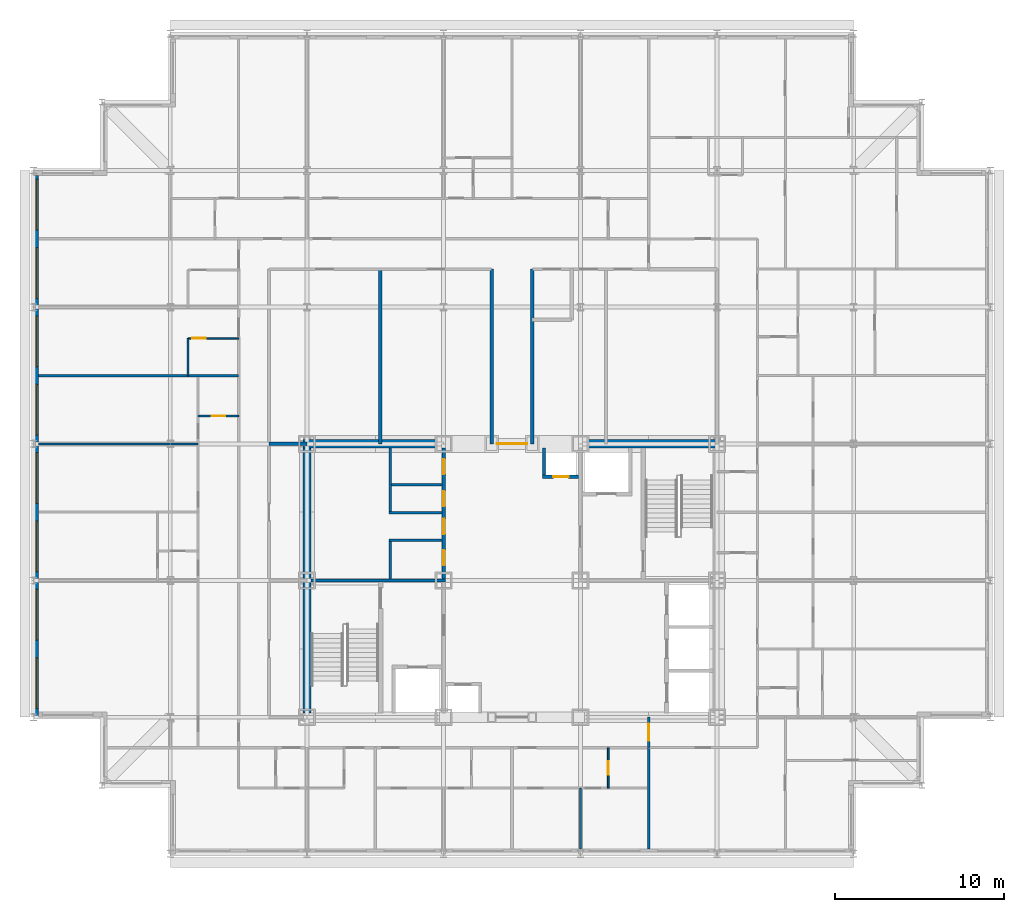
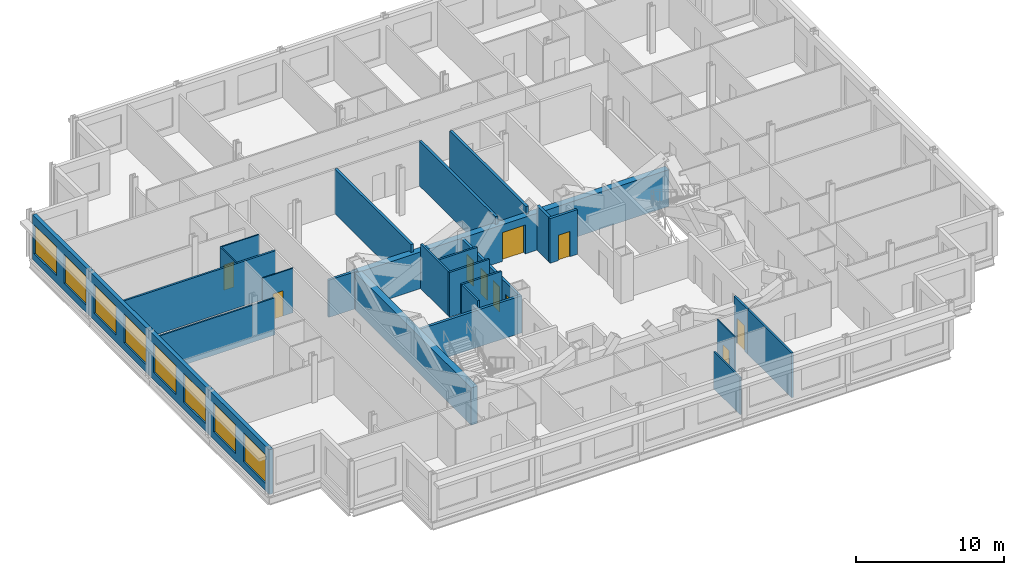
# One storey, part 9 of 15: 25 walls, 10 doors, 8 windows, 18 openings.
"""IFC4 building model written with IfcOpenShell, lengths in metres."""

from ifc_helpers import new_model, si_unit, direction, frame, frame_2d, origin, place, context, subcontext, project, spatial, rectangle, extrude, material, layer, layer_set, type_object, element, fill, save


model = new_model("IFC4")

# Units and contexts
model_context = context("Model", 3, precision=1e-05, world=origin(), true_north=direction((0.0, 1.0)))
body_context = subcontext(model_context, "Body", "Model", "MODEL_VIEW")
ifc_project = project(units=[si_unit("LENGTHUNIT", "METRE"), si_unit("AREAUNIT", "SQUARE_METRE"), si_unit("VOLUMEUNIT", "CUBIC_METRE"), si_unit("PLANEANGLEUNIT", "RADIAN"), si_unit("MASSUNIT", "GRAM", prefix="KILO")], contexts=[model_context])

# Site, building, storey
site_placement = place(None, origin())
site = spatial("IfcSite", under=ifc_project, at=site_placement, CompositionType="ELEMENT")
building_placement = place(site_placement, origin())
building = spatial("IfcBuilding", under=site, at=building_placement, Name="Kopane Lantern Tower", CompositionType="ELEMENT")
storey_placement = place(building_placement, frame((0.0, 0.0, 250.199951171875)))
storey = spatial("IfcBuildingStorey", under=building, at=storey_placement, Name="L64", CompositionType="ELEMENT", Elevation=250.199951171875)

# Walls
ifc_material_1 = material(Name="Gypsum board on steel studs", Category="steel")
ifc_layer_1 = layer(ifc_material_1, 0.1201171875)
ifc_layer_set_1 = layer_set([ifc_layer_1], Name="APARTMENT INTERNAL WALL 120")
wall_type_1 = type_object("IfcWallType", Name="APARTMENT INTERNAL WALL 120", PredefinedType="PARTITIONING", material=ifc_layer_set_1)
wall_1_placement = place(storey_placement, frame((32.39990234375, 20.10009765625, 0.0), z_axis=(0.0, 0.0, 1.0), x_axis=(0.0, -1.0, 0.0)))
element("IfcWall", 1, at=wall_1_placement, inside=storey, type_object=wall_type_1, Name="Apartment Internal Wall 120 L64", PredefinedType="PARTITIONING", context=body_context, shape_type="SweptSolid", body=[
    extrude(rectangle(XDim=3.60009765625, YDim=0.1201171875, at=frame_2d((1.800048828125, 0.0))), origin(), (0.0, 0.0, 1.0), 3.077880859375),
])
wall_2_placement = place(storey_placement, frame((9.75, 40.5, 0.0), z_axis=(0.0, 0.0, 1.0), x_axis=(-1.0, 0.0, 0.0)))
element("IfcWall", 2, at=wall_2_placement, inside=storey, type_object=wall_type_1, Name="Apartment Internal Wall 120 L64", PredefinedType="PARTITIONING", context=body_context, shape_type="SweptSolid", body=[
    extrude(rectangle(XDim=9.449951171875, YDim=0.1201171875, at=frame_2d((4.72509765625, 0.0))), origin(), (0.0, 0.0, 1.0), 3.077880859375),
])

# Wall, opening, door
ifc_material_2 = material(Name="Moisture-resistant board on steel studs", Category="steel")
ifc_layer_2 = layer(ifc_material_2, 0.10009765625)
ifc_layer_set_2 = layer_set([ifc_layer_2], Name="BATHROOM WALL 100")
wall_type_2 = type_object("IfcWallType", Name="BATHROOM WALL 100", PredefinedType="PARTITIONING", material=ifc_layer_set_2)
wall_3_placement = place(storey_placement, frame((34.050048828125, 22.5, 0.0), z_axis=(0.0, 0.0, 1.0), x_axis=(0.0, -1.0, 0.0)))
wall_3 = element("IfcWall", 3, at=wall_3_placement, inside=storey, type_object=wall_type_2, Name="Bathroom Wall 100 L64", PredefinedType="PARTITIONING", context=body_context, shape_type="SweptSolid", body=[
    extrude(rectangle(XDim=2.39990234375, YDim=0.10009765625, at=frame_2d((1.199951171875, 0.0))), origin(), (0.0, 0.0, 1.0), 3.68994140625),
])
opening_1_placement = place(wall_3_placement, frame((0.800048828125, 0.0, 0.0)))
opening_1 = element("IfcOpeningElement", 4, at=opening_1_placement, cuts=wall_3, Name="Opening L64-014", PredefinedType="OPENING", context=body_context, shape_type="SweptSolid", body=[
    extrude(rectangle(XDim=0.800048828125, YDim=2.10009765625, at=frame_2d((0.39990234375, 1.050048828125))), frame((0.0, 0.06005859375, 0.0), z_axis=(0.0, -1.0, 0.0), x_axis=(1.0, 0.0, 0.0)), (0.0, 0.0, 1.0), 0.1201171875),
])
ifc_material_3 = material(Name="Timber door set", Category="wood")
door_type_1 = type_object("IfcDoorType", Name="DOOR D2 800x2100", OperationType="SINGLE_SWING_LEFT", PredefinedType="DOOR", material=ifc_material_3)
door_1_placement = place(opening_1_placement, origin())
door_1 = element("IfcDoor", 5, at=door_1_placement, inside=storey, type_object=door_type_1, Name="Door L64-014", OperationType="SINGLE_SWING_LEFT", OverallHeight=2.10009765625, OverallWidth=0.800048828125, PredefinedType="DOOR", context=body_context, shape_type="SweptSolid", body=[
    extrude(rectangle(XDim=0.800048828125, YDim=2.10009765625, at=frame_2d((0.39990234375, 1.050048828125))), frame((0.0, 0.02490234375, 0.0), z_axis=(0.0, -1.0, 0.0), x_axis=(1.0, 0.0, 0.0)), (0.0, 0.0, 1.0), 0.050048828125),
])
fill(opening_1, door_1)

wall_4_placement = place(storey_placement, frame((12.14990234375, 42.14990234375, 0.0), z_axis=(0.0, 0.0, 1.0), x_axis=(-1.0, 0.0, 0.0)))
wall_4 = element("IfcWall", 6, at=wall_4_placement, inside=storey, type_object=wall_type_2, Name="Bathroom Wall 100 L64", PredefinedType="PARTITIONING", context=body_context, shape_type="SweptSolid", body=[
    extrude(rectangle(XDim=2.39990234375, YDim=0.10009765625, at=frame_2d((1.199951171875, 0.0))), origin(), (0.0, 0.0, 1.0), 3.68994140625),
])
opening_2_placement = place(wall_4_placement, frame((0.800048828125, 0.0, 0.0)))
opening_2 = element("IfcOpeningElement", 7, at=opening_2_placement, cuts=wall_4, Name="Opening L64-025", PredefinedType="OPENING", context=body_context, shape_type="SweptSolid", body=[
    extrude(rectangle(XDim=0.800048828125, YDim=2.10009765625, at=frame_2d((0.39990234375, 1.050048828125))), frame((0.0, 0.06005859375, 0.0), z_axis=(0.0, -1.0, 0.0), x_axis=(1.0, 0.0, 0.0)), (0.0, 0.0, 1.0), 0.1201171875),
])
door_2_placement = place(opening_2_placement, origin())
door_2 = element("IfcDoor", 8, at=door_2_placement, inside=storey, type_object=door_type_1, Name="Door L64-025", OperationType="SINGLE_SWING_RIGHT", OverallHeight=2.10009765625, OverallWidth=0.800048828125, PredefinedType="DOOR", context=body_context, shape_type="SweptSolid", body=[
    extrude(rectangle(XDim=0.800048828125, YDim=2.10009765625, at=frame_2d((0.39990234375, 1.050048828125))), frame((0.0, 0.02490234375, 0.0), z_axis=(0.0, -1.0, 0.0), x_axis=(1.0, 0.0, 0.0)), (0.0, 0.0, 1.0), 0.050048828125),
])
fill(opening_2, door_2)

# Wall
wall_5_placement = place(storey_placement, frame((9.14990234375, 44.550048828125, 0.0), z_axis=(0.0, 0.0, 1.0), x_axis=(0.0, 1.0, 0.0)))
element("IfcWall", 9, at=wall_5_placement, inside=storey, type_object=wall_type_2, Name="Bathroom Wall 100 L64", PredefinedType="PARTITIONING", context=body_context, shape_type="SweptSolid", body=[
    extrude(rectangle(XDim=2.199951171875, YDim=0.10009765625, at=frame_2d((1.10009765625, 0.0))), origin(), (0.0, 0.0, 1.0), 3.68994140625),
])

# Wall, opening, door
wall_6_placement = place(storey_placement, frame((12.14990234375, 46.75, 0.0), z_axis=(0.0, 0.0, 1.0), x_axis=(-1.0, 0.0, 0.0)))
wall_6 = element("IfcWall", 10, at=wall_6_placement, inside=storey, type_object=wall_type_2, Name="Bathroom Wall 100 L64", PredefinedType="PARTITIONING", context=body_context, shape_type="SweptSolid", body=[
    extrude(rectangle(XDim=3.0, YDim=0.10009765625, at=frame_2d((1.5, 0.0))), origin(), (0.0, 0.0, 1.0), 3.68994140625),
])
opening_3_placement = place(wall_6_placement, frame((1.949951171875, 0.0, 0.0)))
opening_3 = element("IfcOpeningElement", 11, at=opening_3_placement, cuts=wall_6, Name="Opening L64-032", PredefinedType="OPENING", context=body_context, shape_type="SweptSolid", body=[
    extrude(rectangle(XDim=0.800048828125, YDim=2.10009765625, at=frame_2d((0.39990234375, 1.050048828125))), frame((0.0, 0.06005859375, 0.0), z_axis=(0.0, -1.0, 0.0), x_axis=(1.0, 0.0, 0.0)), (0.0, 0.0, 1.0), 0.1201171875),
])
door_3_placement = place(opening_3_placement, origin())
door_3 = element("IfcDoor", 12, at=door_3_placement, inside=storey, type_object=door_type_1, Name="Door L64-032", OperationType="SINGLE_SWING_RIGHT", OverallHeight=2.10009765625, OverallWidth=0.800048828125, PredefinedType="DOOR", context=body_context, shape_type="SweptSolid", body=[
    extrude(rectangle(XDim=0.800048828125, YDim=2.10009765625, at=frame_2d((0.39990234375, 1.050048828125))), frame((0.0, 0.02490234375, 0.0), z_axis=(0.0, -1.0, 0.0), x_axis=(1.0, 0.0, 0.0)), (0.0, 0.0, 1.0), 0.050048828125),
])
fill(opening_3, door_3)

ifc_material_4 = material(Name="Gypsum shaft wall EI 120", Category="gypsum")
ifc_layer_3 = layer(ifc_material_4, 0.5)
ifc_layer_set_3 = layer_set([ifc_layer_3], Name="CORE PERIMETER WALL 500 EI 120")
wall_type_3 = type_object("IfcWallType", Name="CORE PERIMETER WALL 500 EI 120", PredefinedType="SOLIDWALL", material=ifc_layer_set_3)
wall_7_placement = place(storey_placement, frame((15.949951171875, 40.5, 0.0), z_axis=(0.0, 0.0, 1.0), x_axis=(1.0, 0.0, 0.0)))
wall_7 = element("IfcWall", 13, at=wall_7_placement, inside=storey, type_object=wall_type_3, Name="Core shaft wall L64 PN", PredefinedType="SOLIDWALL", context=body_context, shape_type="SweptSolid", body=[
    extrude(rectangle(XDim=24.550048828125, YDim=0.5, at=frame_2d((12.27490234375, 0.0))), origin(), (0.0, 0.0, 1.0), 3.0400390625),
])
opening_4_placement = place(wall_7_placement, frame((11.5, 0.0, 0.0)))
opening_4 = element("IfcOpeningElement", 14, at=opening_4_placement, cuts=wall_7, Name="Opening 64.CE-N", PredefinedType="OPENING", context=body_context, shape_type="SweptSolid", body=[
    extrude(rectangle(XDim=1.800048828125, YDim=2.39990234375, at=frame_2d((0.89990234375, 1.199951171875))), frame((0.0, 0.260009765625, 0.0), z_axis=(0.0, -1.0, 0.0), x_axis=(1.0, 0.0, 0.0)), (0.0, 0.0, 1.0), 0.52001953125),
])
ifc_material_5 = material(Name="Steel door set", Category="steel")
door_type_2 = type_object("IfcDoorType", Name="CORE ENTRY DOOR 1800x2400 FD60S", OperationType="DOUBLE_DOOR_SINGLE_SWING", PredefinedType="DOOR", material=ifc_material_5)
door_4_placement = place(opening_4_placement, origin())
door_4 = element("IfcDoor", 15, at=door_4_placement, inside=storey, type_object=door_type_2, Name="Core entry door L64 north", OperationType="DOUBLE_DOOR_SINGLE_SWING", OverallHeight=2.39990234375, OverallWidth=1.800048828125, PredefinedType="DOOR", context=body_context, shape_type="SweptSolid", body=[
    extrude(rectangle(XDim=1.800048828125, YDim=2.39990234375, at=frame_2d((0.89990234375, 1.199951171875))), frame((0.0, 0.02490234375, 0.0), z_axis=(0.0, -1.0, 0.0), x_axis=(1.0, 0.0, 0.0)), (0.0, 0.0, 1.0), 0.050048828125),
])
fill(opening_4, door_4)

# Walls
wall_8_placement = place(storey_placement, frame((16.199951171875, 24.550048828125, 0.0), z_axis=(0.0, 0.0, 1.0), x_axis=(0.0, 1.0, 0.0)))
element("IfcWall", 16, at=wall_8_placement, inside=storey, type_object=wall_type_3, Name="Core shaft wall L64 PW", PredefinedType="SOLIDWALL", context=body_context, shape_type="SweptSolid", body=[
    extrude(rectangle(XDim=15.699951171875, YDim=0.5, at=frame_2d((7.85009765625, 0.0))), origin(), (0.0, 0.0, 1.0), 3.077880859375),
])
ifc_material_6 = material(Name="Gypsum partition EI 60", Category="gypsum")
ifc_layer_4 = layer(ifc_material_6, 0.14990234375)
ifc_layer_set_4 = layer_set([ifc_layer_4], Name="CORE ROOM PARTITION 150 EI 60")
wall_type_4 = type_object("IfcWallType", Name="CORE ROOM PARTITION 150 EI 60", PredefinedType="PARTITIONING", material=ifc_layer_set_4)
for number, where, z_axis, x_axis, name in (
    (17, (21.050048828125, 34.77490234375, 0.0), (0.0, 0.0, 1.0), (1.0, 0.0, 0.0), "Core room partition L64 WW1"),
    (18, (21.050048828125, 36.425048828125, 0.0), (0.0, 0.0, 1.0), (1.0, 0.0, 0.0), "Core room partition L64 WW2"),
):
    element("IfcWall", number, at=place(storey_placement, frame(where, z_axis=z_axis, x_axis=x_axis)), inside=storey, type_object=wall_type_4, Name=name, PredefinedType="PARTITIONING", context=body_context, shape_type="SweptSolid", body=[
        extrude(rectangle(XDim=3.14990234375, YDim=0.14990234375, at=frame_2d((1.574951171875, 0.0))), origin(), (0.0, 0.0, 1.0), 3.68994140625),
    ])
wall_9_placement = place(storey_placement, frame((21.199951171875, 38.074951171875, 0.0), z_axis=(0.0, 0.0, 1.0), x_axis=(1.0, 0.0, 0.0)))
element("IfcWall", 19, at=wall_9_placement, inside=storey, type_object=wall_type_4, Name="Core room partition L64 WW3", PredefinedType="PARTITIONING", context=body_context, shape_type="SweptSolid", body=[
    extrude(rectangle(XDim=3.0, YDim=0.14990234375, at=frame_2d((1.5, 0.0))), origin(), (0.0, 0.0, 1.0), 3.68994140625),
])
wall_10_placement = place(storey_placement, frame((21.125, 32.5, 0.0), z_axis=(0.0, 0.0, 1.0), x_axis=(0.0, 1.0, 0.0)))
element("IfcWall", 20, at=wall_10_placement, inside=storey, type_object=wall_type_4, Name="Core room partition L64 WWB0", PredefinedType="PARTITIONING", context=body_context, shape_type="SweptSolid", body=[
    extrude(rectangle(XDim=2.199951171875, YDim=0.14990234375, at=frame_2d((1.10009765625, 0.0))), origin(), (0.0, 0.0, 1.0), 3.68994140625),
])
wall_11_placement = place(storey_placement, frame((21.125, 36.5, 0.0), z_axis=(0.0, 0.0, 1.0), x_axis=(0.0, 1.0, 0.0)))
element("IfcWall", 21, at=wall_11_placement, inside=storey, type_object=wall_type_4, Name="Core room partition L64 WWB1", PredefinedType="PARTITIONING", context=body_context, shape_type="SweptSolid", body=[
    extrude(rectangle(XDim=3.75, YDim=0.14990234375, at=frame_2d((1.875, 0.0))), origin(), (0.0, 0.0, 1.0), 3.68994140625),
])

# Wall, openings, doors
ifc_material_7 = material(Name="Gypsum partition EI 60", Category="gypsum")
ifc_layer_5 = layer(ifc_material_7, 0.199951171875)
ifc_layer_set_5 = layer_set([ifc_layer_5], Name="CORE ROOM WALL 200 EI 60")
wall_type_5 = type_object("IfcWallType", Name="CORE ROOM WALL 200 EI 60", PredefinedType="PARTITIONING", material=ifc_layer_set_5)
wall_12_placement = place(storey_placement, frame((24.300048828125, 32.5, 0.0), z_axis=(0.0, 0.0, 1.0), x_axis=(0.0, 1.0, 0.0)))
wall_12 = element("IfcWall", 22, at=wall_12_placement, inside=storey, type_object=wall_type_5, Name="Core room wall L64 XW", PredefinedType="PARTITIONING", context=body_context, shape_type="SweptSolid", body=[
    extrude(rectangle(XDim=7.75, YDim=0.199951171875, at=frame_2d((3.875, 0.0))), origin(), (0.0, 0.0, 1.0), 3.077880859375),
])
opening_5_placement = place(wall_12_placement, frame((0.800048828125, 0.0, 0.0)))
opening_5 = element("IfcOpeningElement", 23, at=opening_5_placement, cuts=wall_12, Name="Opening 64.C30", PredefinedType="OPENING", context=body_context, shape_type="SweptSolid", body=[
    extrude(rectangle(XDim=0.89990234375, YDim=2.10009765625, at=frame_2d((0.449951171875, 1.050048828125))), frame((0.0, 0.10986328125, 0.0), z_axis=(0.0, -1.0, 0.0), x_axis=(1.0, 0.0, 0.0)), (0.0, 0.0, 1.0), 0.219970703125),
])
opening_6_placement = place(wall_12_placement, frame((2.64990234375, 0.0, 0.0)))
opening_6 = element("IfcOpeningElement", 24, at=opening_6_placement, cuts=wall_12, Name="Opening 64.C31", PredefinedType="OPENING", context=body_context, shape_type="SweptSolid", body=[
    extrude(rectangle(XDim=0.89990234375, YDim=2.10009765625, at=frame_2d((0.449951171875, 1.050048828125))), frame((0.0, 0.10986328125, 0.0), z_axis=(0.0, -1.0, 0.0), x_axis=(1.0, 0.0, 0.0)), (0.0, 0.0, 1.0), 0.219970703125),
])
opening_7_placement = place(wall_12_placement, frame((4.300048828125, 0.0, 0.0)))
opening_7 = element("IfcOpeningElement", 25, at=opening_7_placement, cuts=wall_12, Name="Opening 64.C32", PredefinedType="OPENING", context=body_context, shape_type="SweptSolid", body=[
    extrude(rectangle(XDim=0.89990234375, YDim=2.10009765625, at=frame_2d((0.449951171875, 1.050048828125))), frame((0.0, 0.10986328125, 0.0), z_axis=(0.0, -1.0, 0.0), x_axis=(1.0, 0.0, 0.0)), (0.0, 0.0, 1.0), 0.219970703125),
])
opening_8_placement = place(wall_12_placement, frame((6.199951171875, 0.0, 0.0)))
opening_8 = element("IfcOpeningElement", 26, at=opening_8_placement, cuts=wall_12, Name="Opening 64.C33", PredefinedType="OPENING", context=body_context, shape_type="SweptSolid", body=[
    extrude(rectangle(XDim=0.89990234375, YDim=2.10009765625, at=frame_2d((0.449951171875, 1.050048828125))), frame((0.0, 0.10986328125, 0.0), z_axis=(0.0, -1.0, 0.0), x_axis=(1.0, 0.0, 0.0)), (0.0, 0.0, 1.0), 0.219970703125),
])
ifc_material_8 = material(Name="Steel door set", Category="steel")
door_type_3 = type_object("IfcDoorType", Name="CORE ROOM DOOR 900x2100 FD60", OperationType="SINGLE_SWING_LEFT", PredefinedType="DOOR", material=ifc_material_8)
door_5_placement = place(opening_5_placement, origin())
door_5 = element("IfcDoor", 27, at=door_5_placement, inside=storey, type_object=door_type_3, Name="Door Refuse room L64", OperationType="SINGLE_SWING_RIGHT", OverallHeight=2.10009765625, OverallWidth=0.89990234375, PredefinedType="DOOR", context=body_context, shape_type="SweptSolid", body=[
    extrude(rectangle(XDim=0.89990234375, YDim=2.10009765625, at=frame_2d((0.449951171875, 1.050048828125))), frame((0.0, 0.02490234375, 0.0), z_axis=(0.0, -1.0, 0.0), x_axis=(1.0, 0.0, 0.0)), (0.0, 0.0, 1.0), 0.050048828125),
])
fill(opening_5, door_5)
door_6_placement = place(opening_6_placement, origin())
door_6 = element("IfcDoor", 28, at=door_6_placement, inside=storey, type_object=door_type_3, Name="Door Residents storage L64", OperationType="SINGLE_SWING_RIGHT", OverallHeight=2.10009765625, OverallWidth=0.89990234375, PredefinedType="DOOR", context=body_context, shape_type="SweptSolid", body=[
    extrude(rectangle(XDim=0.89990234375, YDim=2.10009765625, at=frame_2d((0.449951171875, 1.050048828125))), frame((0.0, 0.02490234375, 0.0), z_axis=(0.0, -1.0, 0.0), x_axis=(1.0, 0.0, 0.0)), (0.0, 0.0, 1.0), 0.050048828125),
])
fill(opening_6, door_6)
door_7_placement = place(opening_7_placement, origin())
door_7 = element("IfcDoor", 29, at=door_7_placement, inside=storey, type_object=door_type_3, Name="Door Cleaner store L64", OperationType="SINGLE_SWING_LEFT", OverallHeight=2.10009765625, OverallWidth=0.89990234375, PredefinedType="DOOR", context=body_context, shape_type="SweptSolid", body=[
    extrude(rectangle(XDim=0.89990234375, YDim=2.10009765625, at=frame_2d((0.449951171875, 1.050048828125))), frame((0.0, 0.02490234375, 0.0), z_axis=(0.0, -1.0, 0.0), x_axis=(1.0, 0.0, 0.0)), (0.0, 0.0, 1.0), 0.050048828125),
])
fill(opening_7, door_7)
door_8_placement = place(opening_8_placement, origin())
door_8 = element("IfcDoor", 30, at=door_8_placement, inside=storey, type_object=door_type_3, Name="Door IT room L64", OperationType="SINGLE_SWING_LEFT", OverallHeight=2.10009765625, OverallWidth=0.89990234375, PredefinedType="DOOR", context=body_context, shape_type="SweptSolid", body=[
    extrude(rectangle(XDim=0.89990234375, YDim=2.10009765625, at=frame_2d((0.449951171875, 1.050048828125))), frame((0.0, 0.02490234375, 0.0), z_axis=(0.0, -1.0, 0.0), x_axis=(1.0, 0.0, 0.0)), (0.0, 0.0, 1.0), 0.050048828125),
])
fill(opening_8, door_8)

# Wall, opening, door
ifc_material_9 = material(Name="Gypsum board on steel studs", Category="steel")
ifc_layer_6 = layer(ifc_material_9, 0.14990234375)
ifc_layer_set_6 = layer_set([ifc_layer_6], Name="CORRIDOR WALL 150 EI 60")
wall_type_6 = type_object("IfcWallType", Name="CORRIDOR WALL 150 EI 60", PredefinedType="PARTITIONING", material=ifc_layer_set_6)
wall_13_placement = place(storey_placement, frame((36.449951171875, 22.5, 0.0), z_axis=(0.0, 0.0, 1.0), x_axis=(0.0, 1.0, 0.0)))
wall_13 = element("IfcWall", 31, at=wall_13_placement, inside=storey, type_object=wall_type_6, Name="Corridor Wall 150 Ei 60 L64", PredefinedType="PARTITIONING", context=body_context, shape_type="SweptSolid", body=[
    extrude(rectangle(XDim=1.800048828125, YDim=0.14990234375, at=frame_2d((0.89990234375, 0.0))), origin(), (0.0, 0.0, 1.0), 3.68994140625),
])
opening_9_placement = place(wall_13_placement, frame((0.39990234375, 0.0, 0.0)))
opening_9 = element("IfcOpeningElement", 32, at=opening_9_placement, cuts=wall_13, Name="Opening L64-043", PredefinedType="OPENING", context=body_context, shape_type="SweptSolid", body=[
    extrude(rectangle(XDim=1.0, YDim=2.10009765625, at=frame_2d((0.5, 1.050048828125))), frame((0.0, 0.0849609375, 0.0), z_axis=(0.0, -1.0, 0.0), x_axis=(1.0, 0.0, 0.0)), (0.0, 0.0, 1.0), 0.169921875),
])
ifc_material_10 = material(Name="Steel door set", Category="steel")
door_type_4 = type_object("IfcDoorType", Name="DOOR D3 1000x2100 FD30S", OperationType="SINGLE_SWING_LEFT", PredefinedType="DOOR", material=ifc_material_10)
door_9_placement = place(opening_9_placement, origin())
door_9 = element("IfcDoor", 33, at=door_9_placement, inside=storey, type_object=door_type_4, Name="Door L64-043", OperationType="SINGLE_SWING_RIGHT", OverallHeight=2.10009765625, OverallWidth=1.0, PredefinedType="DOOR", context=body_context, shape_type="SweptSolid", body=[
    extrude(rectangle(XDim=1.0, YDim=2.10009765625, at=frame_2d((0.5, 1.050048828125))), frame((0.0, 0.02490234375, 0.0), z_axis=(0.0, -1.0, 0.0), x_axis=(1.0, 0.0, 0.0)), (0.0, 0.0, 1.0), 0.050048828125),
])
fill(opening_9, door_9)

# Walls
ifc_material_11 = material(Name="Gypsum board on steel studs", Category="steel")
ifc_layer_7 = layer(ifc_material_11, 0.14990234375)
ifc_layer_set_7 = layer_set([ifc_layer_7], Name="DEMISING WALL 150 EI 60")
wall_type_7 = type_object("IfcWallType", Name="DEMISING WALL 150 EI 60", PredefinedType="PARTITIONING", material=ifc_layer_set_7)
wall_14_placement = place(storey_placement, frame((12.14990234375, 44.550048828125, 0.0), z_axis=(0.0, 0.0, 1.0), x_axis=(-1.0, 0.0, 0.0)))
element("IfcWall", 34, at=wall_14_placement, inside=storey, type_object=wall_type_7, Name="Demising Wall 150 Ei 60 L64", PredefinedType="PARTITIONING", context=body_context, shape_type="SweptSolid", body=[
    extrude(rectangle(XDim=11.849853515625, YDim=0.14990234375, at=frame_2d((5.9248046875, 0.0))), origin(), (0.0, 0.0, 1.0), 3.68994140625),
])
wall_15_placement = place(storey_placement, frame((36.449951171875, 16.5, 0.0), z_axis=(0.0, 0.0, 1.0), x_axis=(0.0, 1.0, 0.0)))
element("IfcWall", 35, at=wall_15_placement, inside=storey, type_object=wall_type_7, Name="Demising Wall 150 Ei 60 L64", PredefinedType="PARTITIONING", context=body_context, shape_type="SweptSolid", body=[
    extrude(rectangle(XDim=6.0, YDim=0.14990234375, at=frame_2d((3.0, 0.0))), origin(), (0.0, 0.0, 1.0), 3.68994140625),
])

# Wall, openings, windows
ifc_material_12 = material(Name="Terracotta rainscreen on light steel framing", Category="masonry")
ifc_layer_8 = layer(ifc_material_12, 0.300048828125)
ifc_layer_set_8 = layer_set([ifc_layer_8], Name="EXTERNAL WALL EW1 300 TERRACOTTA")
wall_type_8 = type_object("IfcWallType", Name="EXTERNAL WALL EW1 300 TERRACOTTA", PredefinedType="SOLIDWALL", material=ifc_layer_set_8)
wall_16_placement = place(storey_placement, frame((0.14990234375, 56.39990234375, 0.0), z_axis=(0.0, 0.0, 1.0), x_axis=(0.0, -1.0, 0.0)))
wall_16 = element("IfcWall", 36, at=wall_16_placement, inside=storey, type_object=wall_type_8, Name="External wall W L64", PredefinedType="SOLIDWALL", context=body_context, shape_type="SweptSolid", body=[
    extrude(rectangle(XDim=32.099853515625, YDim=0.300048828125, at=frame_2d((16.0498046875, 0.0))), origin(), (0.0, 0.0, 1.0), 3.68994140625),
])
opening_10_placement = place(wall_16_placement, frame((0.22509765625, 0.0, 0.60009765625)))
opening_10 = element("IfcOpeningElement", 37, at=opening_10_placement, cuts=wall_16, Name="Opening WR300240", PredefinedType="OPENING", context=body_context, shape_type="SweptSolid", body=[
    extrude(rectangle(XDim=3.0, YDim=2.39990234375, at=frame_2d((1.5, 1.199951171875))), frame((0.0, 0.159912109375, 0.0), z_axis=(0.0, -1.0, 0.0), x_axis=(1.0, 0.0, 0.0)), (0.0, 0.0, 1.0), 0.320068359375),
])
opening_11_placement = place(wall_16_placement, frame((4.27490234375, 0.0, 0.60009765625)))
opening_11 = element("IfcOpeningElement", 38, at=opening_11_placement, cuts=wall_16, Name="Opening WR300240", PredefinedType="OPENING", context=body_context, shape_type="SweptSolid", body=[
    extrude(rectangle(XDim=3.0, YDim=2.39990234375, at=frame_2d((1.5, 1.199951171875))), frame((0.0, 0.159912109375, 0.0), z_axis=(0.0, -1.0, 0.0), x_axis=(1.0, 0.0, 0.0)), (0.0, 0.0, 1.0), 0.320068359375),
])
opening_12_placement = place(wall_16_placement, frame((8.324951171875, 0.0, 0.60009765625)))
opening_12 = element("IfcOpeningElement", 39, at=opening_12_placement, cuts=wall_16, Name="Opening WR300240", PredefinedType="OPENING", context=body_context, shape_type="SweptSolid", body=[
    extrude(rectangle(XDim=3.0, YDim=2.39990234375, at=frame_2d((1.5, 1.199951171875))), frame((0.0, 0.159912109375, 0.0), z_axis=(0.0, -1.0, 0.0), x_axis=(1.0, 0.0, 0.0)), (0.0, 0.0, 1.0), 0.320068359375),
])
opening_13_placement = place(wall_16_placement, frame((12.375, 0.0, 0.60009765625)))
opening_13 = element("IfcOpeningElement", 40, at=opening_13_placement, cuts=wall_16, Name="Opening WR300240", PredefinedType="OPENING", context=body_context, shape_type="SweptSolid", body=[
    extrude(rectangle(XDim=3.0, YDim=2.39990234375, at=frame_2d((1.5, 1.199951171875))), frame((0.0, 0.159912109375, 0.0), z_axis=(0.0, -1.0, 0.0), x_axis=(1.0, 0.0, 0.0)), (0.0, 0.0, 1.0), 0.320068359375),
])
opening_14_placement = place(wall_16_placement, frame((16.425048828125, 0.0, 0.60009765625)))
opening_14 = element("IfcOpeningElement", 41, at=opening_14_placement, cuts=wall_16, Name="Opening WR300240", PredefinedType="OPENING", context=body_context, shape_type="SweptSolid", body=[
    extrude(rectangle(XDim=3.0, YDim=2.39990234375, at=frame_2d((1.5, 1.199951171875))), frame((0.0, 0.159912109375, 0.0), z_axis=(0.0, -1.0, 0.0), x_axis=(1.0, 0.0, 0.0)), (0.0, 0.0, 1.0), 0.320068359375),
])
opening_15_placement = place(wall_16_placement, frame((20.47509765625, 0.0, 0.60009765625)))
opening_15 = element("IfcOpeningElement", 42, at=opening_15_placement, cuts=wall_16, Name="Opening WR300240", PredefinedType="OPENING", context=body_context, shape_type="SweptSolid", body=[
    extrude(rectangle(XDim=3.0, YDim=2.39990234375, at=frame_2d((1.5, 1.199951171875))), frame((0.0, 0.159912109375, 0.0), z_axis=(0.0, -1.0, 0.0), x_axis=(1.0, 0.0, 0.0)), (0.0, 0.0, 1.0), 0.320068359375),
])
opening_16_placement = place(wall_16_placement, frame((24.52490234375, 0.0, 0.60009765625)))
opening_16 = element("IfcOpeningElement", 43, at=opening_16_placement, cuts=wall_16, Name="Opening WR300240", PredefinedType="OPENING", context=body_context, shape_type="SweptSolid", body=[
    extrude(rectangle(XDim=3.0, YDim=2.39990234375, at=frame_2d((1.5, 1.199951171875))), frame((0.0, 0.159912109375, 0.0), z_axis=(0.0, -1.0, 0.0), x_axis=(1.0, 0.0, 0.0)), (0.0, 0.0, 1.0), 0.320068359375),
])
opening_17_placement = place(wall_16_placement, frame((28.574951171875, 0.0, 0.60009765625)))
opening_17 = element("IfcOpeningElement", 44, at=opening_17_placement, cuts=wall_16, Name="Opening WR300240", PredefinedType="OPENING", context=body_context, shape_type="SweptSolid", body=[
    extrude(rectangle(XDim=3.0, YDim=2.39990234375, at=frame_2d((1.5, 1.199951171875))), frame((0.0, 0.159912109375, 0.0), z_axis=(0.0, -1.0, 0.0), x_axis=(1.0, 0.0, 0.0)), (0.0, 0.0, 1.0), 0.320068359375),
])
ifc_material_13 = material(Name="Aluminium and clear glass", Category="aluminium")
window_type = type_object("IfcWindowType", Name="RIBBON WINDOW WR300240 3000x2400", PartitioningType="SINGLE_PANEL", PredefinedType="WINDOW", material=ifc_material_13)
window_1_placement = place(opening_10_placement, origin())
window_1 = element("IfcWindow", 45, at=window_1_placement, inside=storey, type_object=window_type, Name="Window W L64", OverallHeight=2.39990234375, OverallWidth=3.0, PartitioningType="SINGLE_PANEL", PredefinedType="WINDOW", context=body_context, shape_type="SweptSolid", body=[
    extrude(rectangle(XDim=3.0, YDim=2.39990234375, at=frame_2d((1.5, 1.199951171875))), frame((0.0, 0.030029296875, 0.0), z_axis=(0.0, -1.0, 0.0), x_axis=(1.0, 0.0, 0.0)), (0.0, 0.0, 1.0), 0.06005859375),
])
fill(opening_10, window_1)
window_2_placement = place(opening_11_placement, origin())
window_2 = element("IfcWindow", 46, at=window_2_placement, inside=storey, type_object=window_type, Name="Window W L64", OverallHeight=2.39990234375, OverallWidth=3.0, PartitioningType="SINGLE_PANEL", PredefinedType="WINDOW", context=body_context, shape_type="SweptSolid", body=[
    extrude(rectangle(XDim=3.0, YDim=2.39990234375, at=frame_2d((1.5, 1.199951171875))), frame((0.0, 0.030029296875, 0.0), z_axis=(0.0, -1.0, 0.0), x_axis=(1.0, 0.0, 0.0)), (0.0, 0.0, 1.0), 0.06005859375),
])
fill(opening_11, window_2)
window_3_placement = place(opening_12_placement, origin())
window_3 = element("IfcWindow", 47, at=window_3_placement, inside=storey, type_object=window_type, Name="Window W L64", OverallHeight=2.39990234375, OverallWidth=3.0, PartitioningType="SINGLE_PANEL", PredefinedType="WINDOW", context=body_context, shape_type="SweptSolid", body=[
    extrude(rectangle(XDim=3.0, YDim=2.39990234375, at=frame_2d((1.5, 1.199951171875))), frame((0.0, 0.030029296875, 0.0), z_axis=(0.0, -1.0, 0.0), x_axis=(1.0, 0.0, 0.0)), (0.0, 0.0, 1.0), 0.06005859375),
])
fill(opening_12, window_3)
window_4_placement = place(opening_13_placement, origin())
window_4 = element("IfcWindow", 48, at=window_4_placement, inside=storey, type_object=window_type, Name="Window W L64", OverallHeight=2.39990234375, OverallWidth=3.0, PartitioningType="SINGLE_PANEL", PredefinedType="WINDOW", context=body_context, shape_type="SweptSolid", body=[
    extrude(rectangle(XDim=3.0, YDim=2.39990234375, at=frame_2d((1.5, 1.199951171875))), frame((0.0, 0.030029296875, 0.0), z_axis=(0.0, -1.0, 0.0), x_axis=(1.0, 0.0, 0.0)), (0.0, 0.0, 1.0), 0.06005859375),
])
fill(opening_13, window_4)
window_5_placement = place(opening_14_placement, origin())
window_5 = element("IfcWindow", 49, at=window_5_placement, inside=storey, type_object=window_type, Name="Window W L64", OverallHeight=2.39990234375, OverallWidth=3.0, PartitioningType="SINGLE_PANEL", PredefinedType="WINDOW", context=body_context, shape_type="SweptSolid", body=[
    extrude(rectangle(XDim=3.0, YDim=2.39990234375, at=frame_2d((1.5, 1.199951171875))), frame((0.0, 0.030029296875, 0.0), z_axis=(0.0, -1.0, 0.0), x_axis=(1.0, 0.0, 0.0)), (0.0, 0.0, 1.0), 0.06005859375),
])
fill(opening_14, window_5)
window_6_placement = place(opening_15_placement, origin())
window_6 = element("IfcWindow", 50, at=window_6_placement, inside=storey, type_object=window_type, Name="Window W L64", OverallHeight=2.39990234375, OverallWidth=3.0, PartitioningType="SINGLE_PANEL", PredefinedType="WINDOW", context=body_context, shape_type="SweptSolid", body=[
    extrude(rectangle(XDim=3.0, YDim=2.39990234375, at=frame_2d((1.5, 1.199951171875))), frame((0.0, 0.030029296875, 0.0), z_axis=(0.0, -1.0, 0.0), x_axis=(1.0, 0.0, 0.0)), (0.0, 0.0, 1.0), 0.06005859375),
])
fill(opening_15, window_6)
window_7_placement = place(opening_16_placement, origin())
window_7 = element("IfcWindow", 51, at=window_7_placement, inside=storey, type_object=window_type, Name="Window W L64", OverallHeight=2.39990234375, OverallWidth=3.0, PartitioningType="SINGLE_PANEL", PredefinedType="WINDOW", context=body_context, shape_type="SweptSolid", body=[
    extrude(rectangle(XDim=3.0, YDim=2.39990234375, at=frame_2d((1.5, 1.199951171875))), frame((0.0, 0.030029296875, 0.0), z_axis=(0.0, -1.0, 0.0), x_axis=(1.0, 0.0, 0.0)), (0.0, 0.0, 1.0), 0.06005859375),
])
fill(opening_16, window_7)
window_8_placement = place(opening_17_placement, origin())
window_8 = element("IfcWindow", 52, at=window_8_placement, inside=storey, type_object=window_type, Name="Window W L64", OverallHeight=2.39990234375, OverallWidth=3.0, PartitioningType="SINGLE_PANEL", PredefinedType="WINDOW", context=body_context, shape_type="SweptSolid", body=[
    extrude(rectangle(XDim=3.0, YDim=2.39990234375, at=frame_2d((1.5, 1.199951171875))), frame((0.0, 0.030029296875, 0.0), z_axis=(0.0, -1.0, 0.0), x_axis=(1.0, 0.0, 0.0)), (0.0, 0.0, 1.0), 0.06005859375),
])
fill(opening_17, window_8)

# Walls
ifc_material_14 = material(Name="Concrete masonry", Category="masonry")
ifc_layer_9 = layer(ifc_material_14, 0.199951171875)
ifc_layer_set_9 = layer_set([ifc_layer_9], Name="PLANT ROOM WALL 200 EI 120")
wall_type_9 = type_object("IfcWallType", Name="PLANT ROOM WALL 200 EI 120", PredefinedType="SOLIDWALL", material=ifc_layer_set_9)
for number, where, z_axis, x_axis, name in (
    (53, (20.550048828125, 50.85009765625, 0.0), (0.0, 0.0, 1.0), (0.0, -1.0, 0.0), "Plant Room Wall 200 Ei 120 L64"),
    (54, (27.14990234375, 40.5, 0.0), (0.0, 0.0, 1.0), (0.0, 1.0, 0.0), "Plant Room Wall 200 Ei 120 L64"),
    (55, (29.550048828125, 40.5, 0.0), (0.0, 0.0, 1.0), (0.0, 1.0, 0.0), "Plant Room Wall 200 Ei 120 L64"),
):
    element("IfcWall", number, at=place(storey_placement, frame(where, z_axis=z_axis, x_axis=x_axis)), inside=storey, type_object=wall_type_9, Name=name, PredefinedType="SOLIDWALL", context=body_context, shape_type="SweptSolid", body=[
        extrude(rectangle(XDim=10.35009765625, YDim=0.199951171875, at=frame_2d((5.175048828125, 0.0))), origin(), (0.0, 0.0, 1.0), 3.68994140625),
    ])
wall_17_placement = place(storey_placement, frame((13.949951171875, 40.5, 0.0), z_axis=(0.0, 0.0, 1.0), x_axis=(1.0, 0.0, 0.0)))
element("IfcWall", 56, at=wall_17_placement, inside=storey, type_object=wall_type_9, Name="Plant Room Wall 200 Ei 120 L64", PredefinedType="SOLIDWALL", context=body_context, shape_type="SweptSolid", body=[
    extrude(rectangle(XDim=2.25, YDim=0.199951171875, at=frame_2d((1.125, 0.0))), origin(), (0.0, 0.0, 1.0), 3.077880859375),
])
ifc_material_15 = material(Name="Gypsum shaft wall EI 120", Category="gypsum")
ifc_layer_10 = layer(ifc_material_15, 0.199951171875)
ifc_layer_set_10 = layer_set([ifc_layer_10], Name="SHAFT WALL 200 EI 120")
wall_type_10 = type_object("IfcWallType", Name="SHAFT WALL 200 EI 120", PredefinedType="SOLIDWALL", material=ifc_layer_set_10)
wall_18_placement = place(storey_placement, frame((16.449951171875, 32.39990234375, 0.0), z_axis=(0.0, 0.0, 1.0), x_axis=(1.0, 0.0, 0.0)))
element("IfcWall", 57, at=wall_18_placement, inside=storey, type_object=wall_type_10, Name="Core shaft wall L64 Y324W", PredefinedType="SOLIDWALL", context=body_context, shape_type="SweptSolid", body=[
    extrude(rectangle(XDim=7.949951171875, YDim=0.199951171875, at=frame_2d((3.97509765625, 0.0))), origin(), (0.0, 0.0, 1.0), 3.077880859375),
])
wall_19_placement = place(storey_placement, frame((30.25, 38.64990234375, 0.0), z_axis=(0.0, 0.0, 1.0), x_axis=(0.0, 1.0, 0.0)))
element("IfcWall", 58, at=wall_19_placement, inside=storey, type_object=wall_type_10, Name="Core shaft wall L64 XRS2", PredefinedType="SOLIDWALL", context=body_context, shape_type="SweptSolid", body=[
    extrude(rectangle(XDim=1.60009765625, YDim=0.199951171875, at=frame_2d((0.800048828125, 0.0))), origin(), (0.0, 0.0, 1.0), 3.68994140625),
])

# Wall, opening, door
wall_20_placement = place(storey_placement, frame((30.14990234375, 38.550048828125, 0.0), z_axis=(0.0, 0.0, 1.0), x_axis=(1.0, 0.0, 0.0)))
wall_20 = element("IfcWall", 59, at=wall_20_placement, inside=storey, type_object=wall_type_10, Name="Core shaft wall L64 YRS2", PredefinedType="SOLIDWALL", context=body_context, shape_type="SweptSolid", body=[
    extrude(rectangle(XDim=2.150146484375, YDim=0.199951171875, at=frame_2d((1.0751953125, 0.0))), origin(), (0.0, 0.0, 1.0), 3.68994140625),
])
opening_18_placement = place(wall_20_placement, frame((0.64990234375, 0.0, 0.0)))
opening_18 = element("IfcOpeningElement", 60, at=opening_18_placement, cuts=wall_20, Name="Opening 64.RS2", PredefinedType="OPENING", context=body_context, shape_type="SweptSolid", body=[
    extrude(rectangle(XDim=0.89990234375, YDim=2.10009765625, at=frame_2d((0.449951171875, 1.050048828125))), frame((0.0, 0.10986328125, 0.0), z_axis=(0.0, -1.0, 0.0), x_axis=(1.0, 0.0, 0.0)), (0.0, 0.0, 1.0), 0.219970703125),
])
ifc_material_16 = material(Name="Steel door set", Category="steel")
door_type_5 = type_object("IfcDoorType", Name="RISER ACCESS DOOR 900x2100 FD60", OperationType="SINGLE_SWING_LEFT", PredefinedType="DOOR", material=ifc_material_16)
door_10_placement = place(opening_18_placement, origin())
door_10 = element("IfcDoor", 61, at=door_10_placement, inside=storey, type_object=door_type_5, Name="Riser access door RS2 L64", OperationType="SINGLE_SWING_LEFT", OverallHeight=2.10009765625, OverallWidth=0.89990234375, PredefinedType="DOOR", context=body_context, shape_type="SweptSolid", body=[
    extrude(rectangle(XDim=0.89990234375, YDim=2.10009765625, at=frame_2d((0.449951171875, 1.050048828125))), frame((0.0, 0.02490234375, 0.0), z_axis=(0.0, -1.0, 0.0), x_axis=(1.0, 0.0, 0.0)), (0.0, 0.0, 1.0), 0.050048828125),
])
fill(opening_18, door_10)

save(model, "model.ifc")
